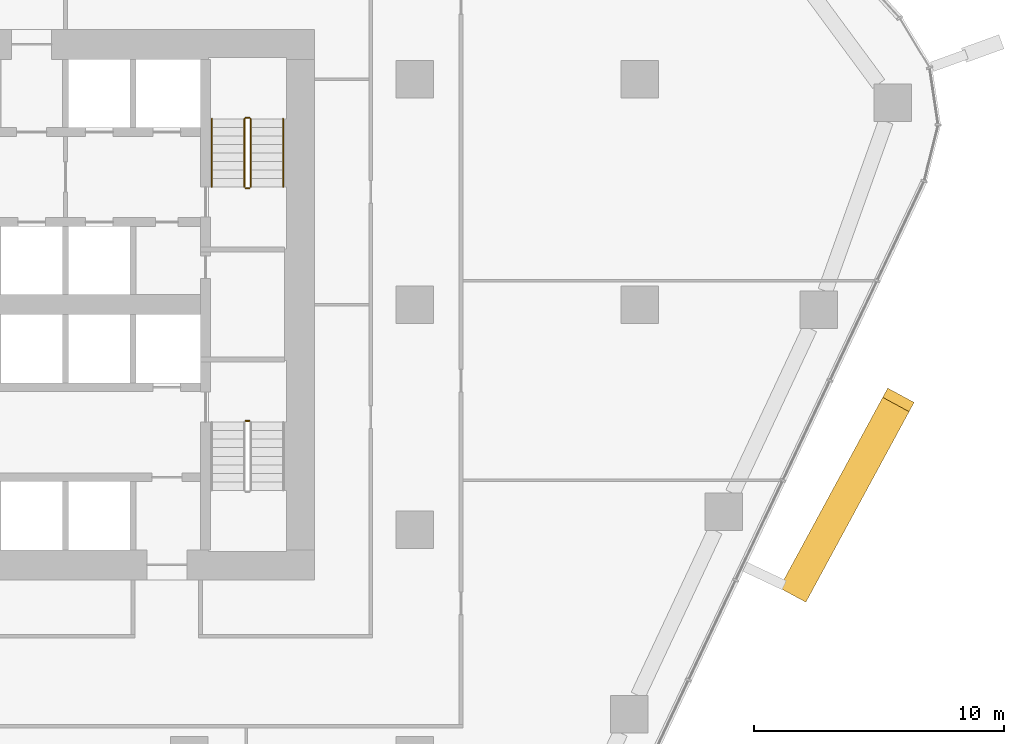
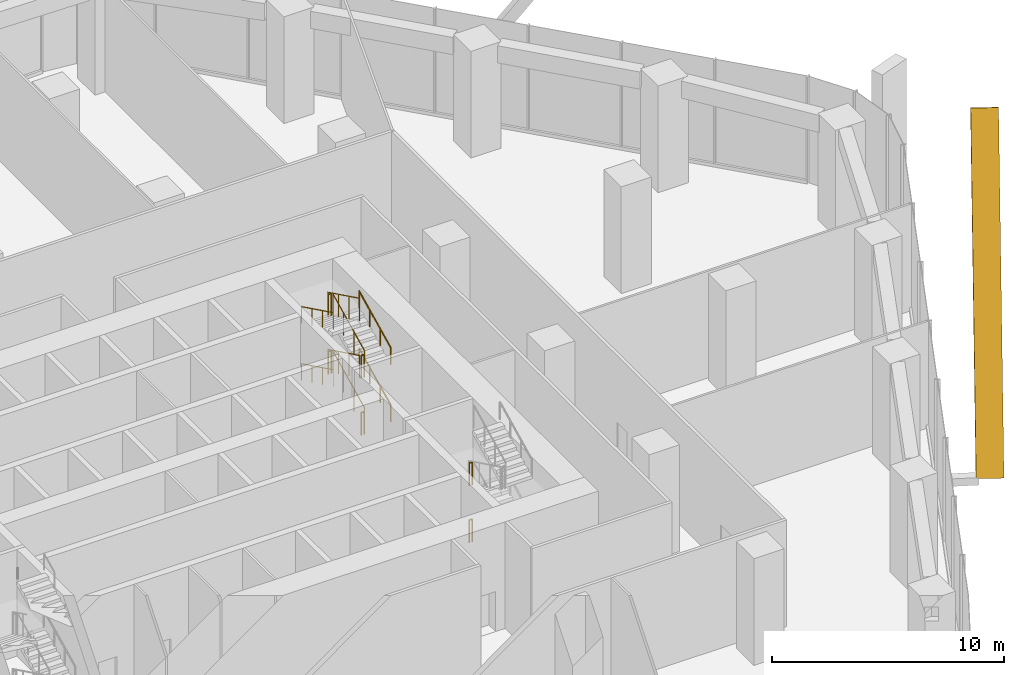
# One storey, part 18 of 19: 14 railings, 1 covering, 1 element without a shape of its own.
"""IFC4 building model written with IfcOpenShell, lengths in metres."""

from ifc_helpers import new_model, si_unit, direction, frame, origin, origin_2d, place, context, subcontext, project, spatial, rectangle, circle, extrude, material, layer, layer_set, material_profile, profile_set, type_object, element, aggregate, save


model = new_model("IFC4")

# Units and contexts
model_context = context("Model", 3, precision=1e-05, world=origin(), true_north=direction((0.0, 1.0)))
body_context = subcontext(model_context, "Body", "Model", "MODEL_VIEW")
ifc_project = project(units=[si_unit("LENGTHUNIT", "METRE"), si_unit("AREAUNIT", "SQUARE_METRE"), si_unit("VOLUMEUNIT", "CUBIC_METRE"), si_unit("PLANEANGLEUNIT", "RADIAN"), si_unit("MASSUNIT", "GRAM", prefix="KILO")], contexts=[model_context])

# Site, building, storey
site_placement = place(None, origin())
site = spatial("IfcSite", under=ifc_project, at=site_placement, CompositionType="ELEMENT")
building_placement = place(site_placement, origin())
building = spatial("IfcBuilding", under=site, at=building_placement, Name="Dongbaek Canopy Tower", CompositionType="ELEMENT")
storey_placement = place(building_placement, frame((0.0, 0.0, 38.0)))
storey = spatial("IfcBuildingStorey", under=building, at=storey_placement, Name="L05", CompositionType="ELEMENT", Elevation=38.0)

# Curtain wall, covering
ifc_material_1 = material(Name="Aluminium 6063-T6 pale anodised", Category="aluminium")
ifc_layer = layer(ifc_material_1, 0.25)
ifc_layer_set = layer_set([ifc_layer], Name="CW-4 sky-lobby curtain wall")
curtain_wall_type = type_object("IfcCurtainWallType", Name="CW-4 sky-lobby curtain wall", PredefinedType="NOTDEFINED", material=ifc_layer_set)
curtain_wall_placement = place(storey_placement, origin())
curtain_wall = element("IfcCurtainWall", 1, at=curtain_wall_placement, inside=storey, type_object=curtain_wall_type, Name="CW-4 curtain wall F5.1", PredefinedType="NOTDEFINED")
ifc_material_2 = material(Name="Aluminium 6063-T6 pale metal fin", Category="aluminium")
ifc_material_profile = material_profile(ifc_material_2, rectangle(XDim=1.199951171875, YDim=0.5, at=origin_2d()), Name="Crease fin CF1 500 x 1200 pale metal")
ifc_profile_set = profile_set([ifc_material_profile], Name="Aluminium 6063-T6 pale metal fin")
covering_type = type_object("IfcCoveringType", Name="Crease fin CF1 500 x 1200 pale metal", PredefinedType="CLADDING", material=ifc_profile_set)
covering_placement = place(storey_placement, frame((33.205810546875, -11.4208984375, -0.199951171875), z_axis=(0.258599952217, 0.477168099297, 0.839902773973), x_axis=(-0.879188625831, 0.476473881981, 0.0)))
covering = element("IfcCovering", 2, at=covering_placement, type_object=covering_type, Name="Crease fin L05 L08 F5", PredefinedType="CLADDING", context=body_context, shape_type="SweptSolid", body=[
    extrude(rectangle(XDim=1.199951171875, YDim=0.5, at=origin_2d()), origin(), (0.0, 0.0, 1.0), 15.9541015625),
])
aggregate(curtain_wall, [covering])

# Railings
ifc_material_3 = material(Name="Stainless steel tube and balusters", Category="steel")
railing_type_1 = type_object("IfcRailingType", Name="Stair guard 1200", PredefinedType="GUARDRAIL", material=ifc_material_3)
railing_1_placement = place(storey_placement, frame((11.449951171875, 4.699951171875, 0.166748046875)))
element("IfcRailing", 3, at=railing_1_placement, inside=storey, type_object=railing_type_1, Name="L05 ST-A stair guard 1", PredefinedType="GUARDRAIL", context=body_context, shape_type="SweptSolid", body=[
    extrude(circle(Radius=0.02392578125, at=origin_2d()), frame((0.0, 0.0, 1.17578125), z_axis=(0.0, 0.897929466783, 0.4401393787), x_axis=(-1.0, 0.0, 0.0)), (0.0, 0.0, 1.0), 3.029052734375),
    extrude(circle(Radius=0.02099609375, at=origin_2d()), origin(), (0.0, 0.0, 1.0), 1.15185546875),
    extrude(circle(Radius=0.02099609375, at=origin_2d()), frame((0.0, 0.90673828125, 0.4443359375)), (0.0, 0.0, 1.0), 1.15185546875),
    extrude(circle(Radius=0.02099609375, at=origin_2d()), frame((0.0, 1.813232421875, 0.888916015625)), (0.0, 0.0, 1.0), 1.15185546875),
    extrude(circle(Radius=0.02099609375, at=origin_2d()), frame((0.0, 2.719970703125, 1.333251953125)), (0.0, 0.0, 1.0), 1.15185546875),
])
railing_2_placement = place(storey_placement, frame((11.39990234375, 7.469970703125, 1.5)))
element("IfcRailing", 4, at=railing_2_placement, inside=storey, type_object=railing_type_1, Name="L05 ST-A stair guard 2", PredefinedType="GUARDRAIL", context=body_context, shape_type="SweptSolid", body=[
    extrude(circle(Radius=0.02392578125, at=origin_2d()), frame((0.0, 0.0, 1.17578125), z_axis=(-1.0, 0.0, 0.0), x_axis=(0.0, -1.0, 0.0)), (0.0, 0.0, 1.0), 0.14990234375),
    extrude(circle(Radius=0.02099609375, at=origin_2d()), origin(), (0.0, 0.0, 1.0), 1.15185546875),
    extrude(circle(Radius=0.02099609375, at=origin_2d()), frame((-0.14990234375, 0.0, 0.0)), (0.0, 0.0, 1.0), 1.15185546875),
])
railing_3_placement = place(storey_placement, frame((11.199951171875, 7.419921875, 1.666748046875)))
element("IfcRailing", 5, at=railing_3_placement, inside=storey, type_object=railing_type_1, Name="L05 ST-A stair guard 3", PredefinedType="GUARDRAIL", context=body_context, shape_type="SweptSolid", body=[
    extrude(circle(Radius=0.02392578125, at=origin_2d()), frame((0.0, 0.0, 1.17578125), z_axis=(0.0, -0.897929466783, 0.4401393787), x_axis=(1.0, 0.0, 0.0)), (0.0, 0.0, 1.0), 3.029052734375),
    extrude(circle(Radius=0.02099609375, at=origin_2d()), origin(), (0.0, 0.0, 1.0), 1.15185546875),
    extrude(circle(Radius=0.02099609375, at=origin_2d()), frame((0.0, -0.90673828125, 0.4443359375)), (0.0, 0.0, 1.0), 1.15185546875),
    extrude(circle(Radius=0.02099609375, at=origin_2d()), frame((0.0, -1.813232421875, 0.888916015625)), (0.0, 0.0, 1.0), 1.15185546875),
    extrude(circle(Radius=0.02099609375, at=origin_2d()), frame((0.0, -2.719970703125, 1.333251953125)), (0.0, 0.0, 1.0), 1.15185546875),
])
railing_4_placement = place(storey_placement, frame((11.39990234375, 4.64990234375, 3.0)))
element("IfcRailing", 6, at=railing_4_placement, inside=storey, type_object=railing_type_1, Name="L05 ST-A stair guard 4", PredefinedType="GUARDRAIL", context=body_context, shape_type="SweptSolid", body=[
    extrude(circle(Radius=0.02392578125, at=origin_2d()), frame((0.0, 0.0, 1.17578125), z_axis=(-1.0, 0.0, 0.0), x_axis=(0.0, -1.0, 0.0)), (0.0, 0.0, 1.0), 0.14990234375),
    extrude(circle(Radius=0.02099609375, at=origin_2d()), origin(), (0.0, 0.0, 1.0), 1.15185546875),
    extrude(circle(Radius=0.02099609375, at=origin_2d()), frame((-0.14990234375, 0.0, 0.0)), (0.0, 0.0, 1.0), 1.15185546875),
])
railing_5_placement = place(storey_placement, frame((11.449951171875, 4.699951171875, 3.166748046875)))
element("IfcRailing", 7, at=railing_5_placement, inside=storey, type_object=railing_type_1, Name="L05 ST-A stair guard 5", PredefinedType="GUARDRAIL", context=body_context, shape_type="SweptSolid", body=[
    extrude(circle(Radius=0.02392578125, at=origin_2d()), frame((0.0, 0.0, 1.17578125), z_axis=(0.0, 0.897929466783, 0.4401393787), x_axis=(-1.0, 0.0, 0.0)), (0.0, 0.0, 1.0), 3.029052734375),
    extrude(circle(Radius=0.02099609375, at=origin_2d()), origin(), (0.0, 0.0, 1.0), 1.15185546875),
    extrude(circle(Radius=0.02099609375, at=origin_2d()), frame((0.0, 0.90673828125, 0.4443359375)), (0.0, 0.0, 1.0), 1.15185546875),
    extrude(circle(Radius=0.02099609375, at=origin_2d()), frame((0.0, 1.813232421875, 0.888916015625)), (0.0, 0.0, 1.0), 1.15185546875),
    extrude(circle(Radius=0.02099609375, at=origin_2d()), frame((0.0, 2.719970703125, 1.333251953125)), (0.0, 0.0, 1.0), 1.15185546875),
])
railing_6_placement = place(storey_placement, frame((11.39990234375, 7.469970703125, 4.5)))
element("IfcRailing", 8, at=railing_6_placement, inside=storey, type_object=railing_type_1, Name="L05 ST-A stair guard 6", PredefinedType="GUARDRAIL", context=body_context, shape_type="SweptSolid", body=[
    extrude(circle(Radius=0.02392578125, at=origin_2d()), frame((0.0, 0.0, 1.17578125), z_axis=(-1.0, 0.0, 0.0), x_axis=(0.0, -1.0, 0.0)), (0.0, 0.0, 1.0), 0.14990234375),
    extrude(circle(Radius=0.02099609375, at=origin_2d()), origin(), (0.0, 0.0, 1.0), 1.15185546875),
    extrude(circle(Radius=0.02099609375, at=origin_2d()), frame((-0.14990234375, 0.0, 0.0)), (0.0, 0.0, 1.0), 1.15185546875),
])
railing_7_placement = place(storey_placement, frame((11.199951171875, 7.419921875, 4.666748046875)))
element("IfcRailing", 9, at=railing_7_placement, inside=storey, type_object=railing_type_1, Name="L05 ST-A stair guard 7", PredefinedType="GUARDRAIL", context=body_context, shape_type="SweptSolid", body=[
    extrude(circle(Radius=0.02392578125, at=origin_2d()), frame((0.0, 0.0, 1.17578125), z_axis=(0.0, -0.897929466783, 0.4401393787), x_axis=(1.0, 0.0, 0.0)), (0.0, 0.0, 1.0), 3.029052734375),
    extrude(circle(Radius=0.02099609375, at=origin_2d()), origin(), (0.0, 0.0, 1.0), 1.15185546875),
    extrude(circle(Radius=0.02099609375, at=origin_2d()), frame((0.0, -0.90673828125, 0.4443359375)), (0.0, 0.0, 1.0), 1.15185546875),
    extrude(circle(Radius=0.02099609375, at=origin_2d()), frame((0.0, -1.813232421875, 0.888916015625)), (0.0, 0.0, 1.0), 1.15185546875),
    extrude(circle(Radius=0.02099609375, at=origin_2d()), frame((0.0, -2.719970703125, 1.333251953125)), (0.0, 0.0, 1.0), 1.15185546875),
])
railing_8_placement = place(storey_placement, frame((11.39990234375, 4.64990234375, 0.0)))
element("IfcRailing", 10, at=railing_8_placement, inside=storey, type_object=railing_type_1, Name="L05 ST-A stair guard 8", PredefinedType="GUARDRAIL", context=body_context, shape_type="SweptSolid", body=[
    extrude(circle(Radius=0.02392578125, at=origin_2d()), frame((0.0, 0.0, 1.17578125), z_axis=(-1.0, 0.0, 0.0), x_axis=(0.0, -1.0, 0.0)), (0.0, 0.0, 1.0), 0.14990234375),
    extrude(circle(Radius=0.02099609375, at=origin_2d()), origin(), (0.0, 0.0, 1.0), 1.15185546875),
    extrude(circle(Radius=0.02099609375, at=origin_2d()), frame((-0.14990234375, 0.0, 0.0)), (0.0, 0.0, 1.0), 1.15185546875),
])
for number, where, name in (
    (11, (11.25, -4.64990234375, 3.0), "L05 ST-B stair guard 4"),
    (12, (11.25, -4.64990234375, 0.0), "L05 ST-B stair guard 8"),
):
    element("IfcRailing", number, at=place(storey_placement, frame(where)), inside=storey, type_object=railing_type_1, Name=name, PredefinedType="GUARDRAIL", context=body_context, shape_type="SweptSolid", body=[
        extrude(circle(Radius=0.02392578125, at=origin_2d()), frame((0.0, 0.0, 1.17578125), z_axis=(1.0, 0.0, 0.0), x_axis=(0.0, 1.0, 0.0)), (0.0, 0.0, 1.0), 0.14990234375),
        extrude(circle(Radius=0.02099609375, at=origin_2d()), origin(), (0.0, 0.0, 1.0), 1.15185546875),
        extrude(circle(Radius=0.02099609375, at=origin_2d()), frame((0.14990234375, 0.0, 0.0)), (0.0, 0.0, 1.0), 1.15185546875),
    ])
ifc_material_4 = material(Name="Stainless steel tube", Category="steel")
railing_type_2 = type_object("IfcRailingType", Name="Stair handrail 900", PredefinedType="HANDRAIL", material=ifc_material_4)
railing_9_placement = place(storey_placement, frame((12.75, 4.699951171875, 0.166748046875)))
element("IfcRailing", 13, at=railing_9_placement, inside=storey, type_object=railing_type_2, Name="L05 ST-A stair handrail 1", PredefinedType="HANDRAIL", context=body_context, shape_type="SweptSolid", body=[
    extrude(circle(Radius=0.02392578125, at=origin_2d()), frame((0.0, 0.0, 0.8759765625), z_axis=(0.0, 0.897929466783, 0.4401393787), x_axis=(-1.0, 0.0, 0.0)), (0.0, 0.0, 1.0), 3.029052734375),
    extrude(circle(Radius=0.02099609375, at=origin_2d()), origin(), (0.0, 0.0, 1.0), 0.851806640625),
    extrude(circle(Radius=0.02099609375, at=origin_2d()), frame((0.0, 0.90673828125, 0.4443359375)), (0.0, 0.0, 1.0), 0.851806640625),
    extrude(circle(Radius=0.02099609375, at=origin_2d()), frame((0.0, 1.813232421875, 0.888916015625)), (0.0, 0.0, 1.0), 0.851806640625),
    extrude(circle(Radius=0.02099609375, at=origin_2d()), frame((0.0, 2.719970703125, 1.333251953125)), (0.0, 0.0, 1.0), 0.851806640625),
])
railing_10_placement = place(storey_placement, frame((9.89990234375, 7.419921875, 1.666748046875)))
element("IfcRailing", 14, at=railing_10_placement, inside=storey, type_object=railing_type_2, Name="L05 ST-A stair handrail 2", PredefinedType="HANDRAIL", context=body_context, shape_type="SweptSolid", body=[
    extrude(circle(Radius=0.02392578125, at=origin_2d()), frame((0.0, 0.0, 0.8759765625), z_axis=(0.0, -0.897929466783, 0.4401393787), x_axis=(1.0, 0.0, 0.0)), (0.0, 0.0, 1.0), 3.029052734375),
    extrude(circle(Radius=0.02099609375, at=origin_2d()), origin(), (0.0, 0.0, 1.0), 0.851806640625),
    extrude(circle(Radius=0.02099609375, at=origin_2d()), frame((0.0, -0.90673828125, 0.4443359375)), (0.0, 0.0, 1.0), 0.851806640625),
    extrude(circle(Radius=0.02099609375, at=origin_2d()), frame((0.0, -1.813232421875, 0.888916015625)), (0.0, 0.0, 1.0), 0.851806640625),
    extrude(circle(Radius=0.02099609375, at=origin_2d()), frame((0.0, -2.719970703125, 1.333251953125)), (0.0, 0.0, 1.0), 0.851806640625),
])
railing_11_placement = place(storey_placement, frame((12.75, 4.699951171875, 3.166748046875)))
element("IfcRailing", 15, at=railing_11_placement, inside=storey, type_object=railing_type_2, Name="L05 ST-A stair handrail 3", PredefinedType="HANDRAIL", context=body_context, shape_type="SweptSolid", body=[
    extrude(circle(Radius=0.02392578125, at=origin_2d()), frame((0.0, 0.0, 0.8759765625), z_axis=(0.0, 0.897929466783, 0.4401393787), x_axis=(-1.0, 0.0, 0.0)), (0.0, 0.0, 1.0), 3.029052734375),
    extrude(circle(Radius=0.02099609375, at=origin_2d()), origin(), (0.0, 0.0, 1.0), 0.851806640625),
    extrude(circle(Radius=0.02099609375, at=origin_2d()), frame((0.0, 0.90673828125, 0.4443359375)), (0.0, 0.0, 1.0), 0.851806640625),
    extrude(circle(Radius=0.02099609375, at=origin_2d()), frame((0.0, 1.813232421875, 0.888916015625)), (0.0, 0.0, 1.0), 0.851806640625),
    extrude(circle(Radius=0.02099609375, at=origin_2d()), frame((0.0, 2.719970703125, 1.333251953125)), (0.0, 0.0, 1.0), 0.851806640625),
])
railing_12_placement = place(storey_placement, frame((9.89990234375, 7.419921875, 4.666748046875)))
element("IfcRailing", 16, at=railing_12_placement, inside=storey, type_object=railing_type_2, Name="L05 ST-A stair handrail 4", PredefinedType="HANDRAIL", context=body_context, shape_type="SweptSolid", body=[
    extrude(circle(Radius=0.02392578125, at=origin_2d()), frame((0.0, 0.0, 0.8759765625), z_axis=(0.0, -0.897929466783, 0.4401393787), x_axis=(1.0, 0.0, 0.0)), (0.0, 0.0, 1.0), 3.029052734375),
    extrude(circle(Radius=0.02099609375, at=origin_2d()), origin(), (0.0, 0.0, 1.0), 0.851806640625),
    extrude(circle(Radius=0.02099609375, at=origin_2d()), frame((0.0, -0.90673828125, 0.4443359375)), (0.0, 0.0, 1.0), 0.851806640625),
    extrude(circle(Radius=0.02099609375, at=origin_2d()), frame((0.0, -1.813232421875, 0.888916015625)), (0.0, 0.0, 1.0), 0.851806640625),
    extrude(circle(Radius=0.02099609375, at=origin_2d()), frame((0.0, -2.719970703125, 1.333251953125)), (0.0, 0.0, 1.0), 0.851806640625),
])

save(model, "model.ifc")
